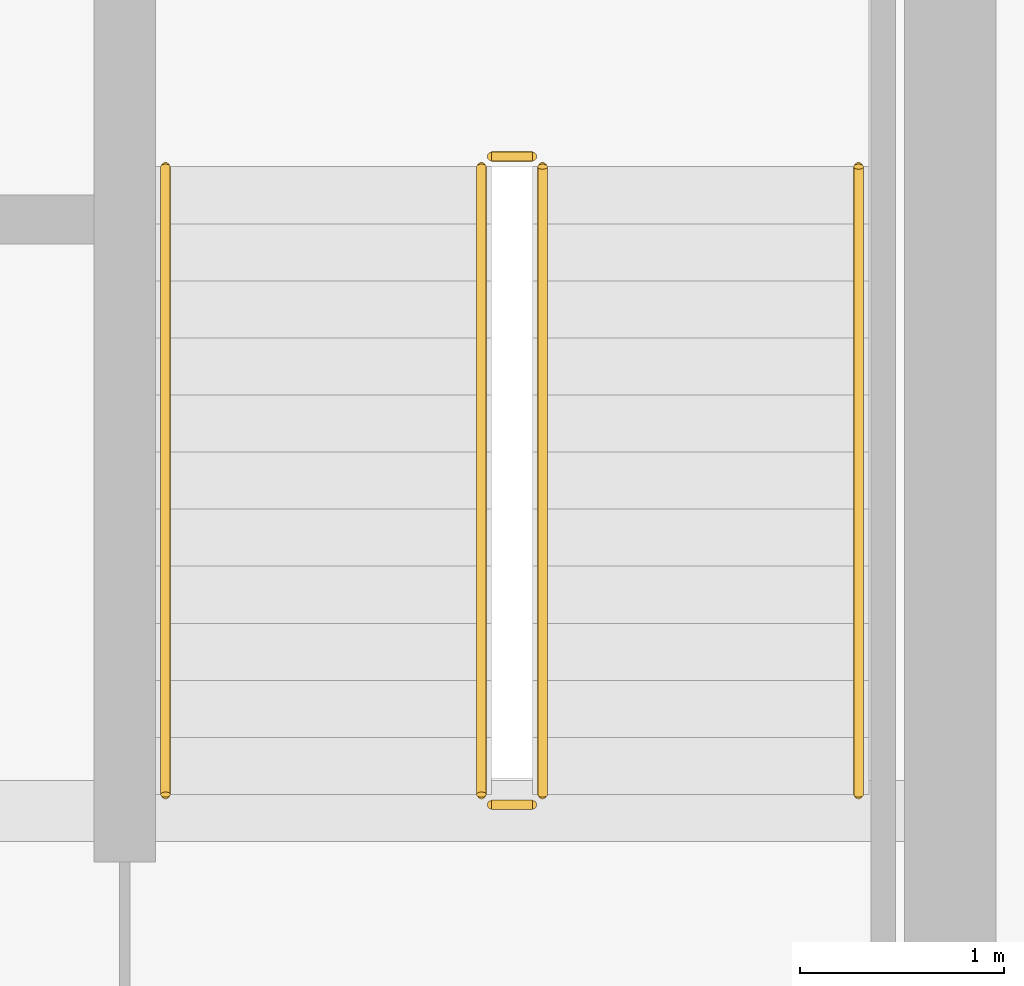
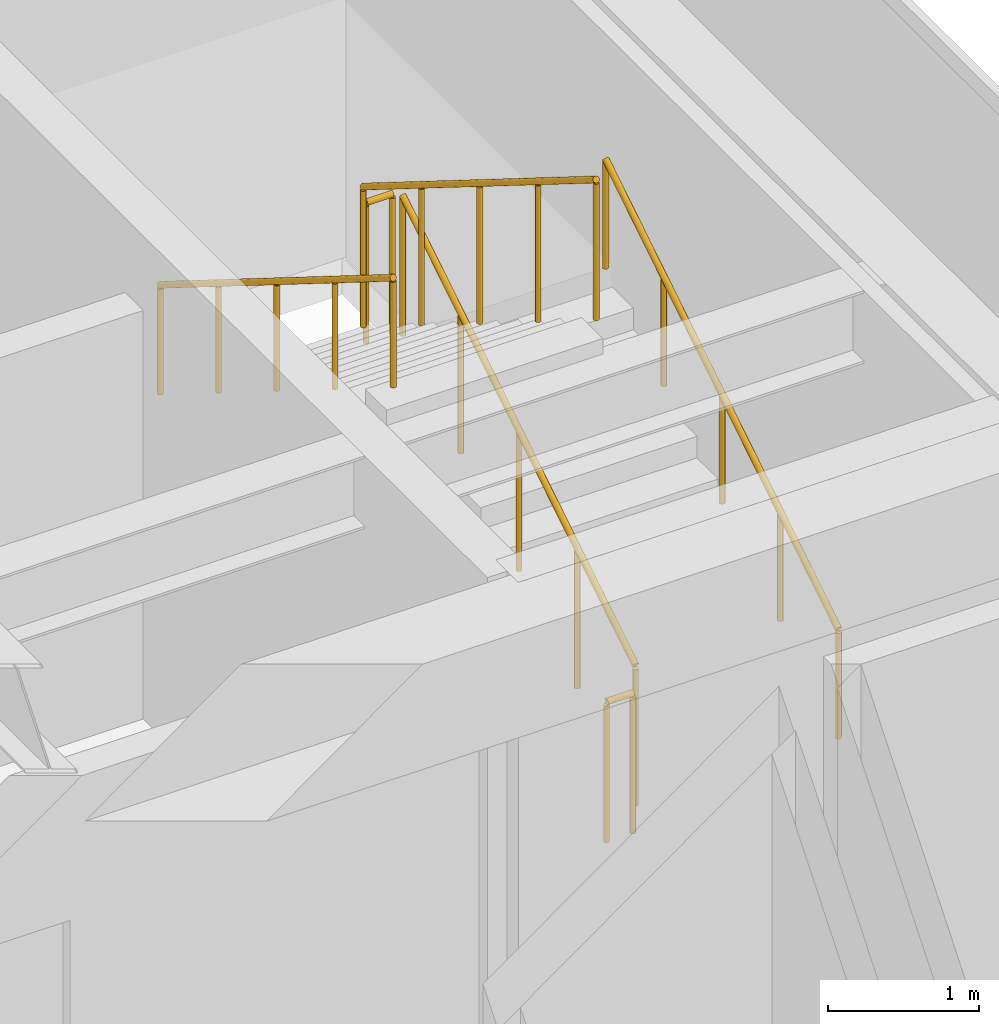
# One storey, part 31 of 32: 6 railings.
"""IFC4 building model written with IfcOpenShell, lengths in metres."""

from ifc_helpers import new_model, si_unit, direction, frame, origin, origin_2d, place, context, subcontext, project, spatial, circle, extrude, source, transform, mapped, material, type_object, type_shapes, element, save


model = new_model("IFC4")

# Units and contexts
model_context = context("Model", 3, precision=1e-05, world=origin(), true_north=direction((0.0, 1.0)))
body_context = subcontext(model_context, "Body", "Model", "MODEL_VIEW")
ifc_project = project(units=[si_unit("LENGTHUNIT", "METRE"), si_unit("AREAUNIT", "SQUARE_METRE"), si_unit("VOLUMEUNIT", "CUBIC_METRE"), si_unit("PLANEANGLEUNIT", "RADIAN"), si_unit("MASSUNIT", "GRAM", prefix="KILO")], contexts=[model_context])

# Site, building, storey
site_placement = place(None, origin())
site = spatial("IfcSite", under=ifc_project, at=site_placement, CompositionType="ELEMENT")
building_placement = place(site_placement, origin())
building = spatial("IfcBuilding", under=site, at=building_placement, Name="Haelvirn Gate Laboratories", CompositionType="ELEMENT")
storey_placement = place(building_placement, frame((0.0, 0.0, 301.800048828125)))
storey = spatial("IfcBuildingStorey", under=building, at=storey_placement, Name="L72", CompositionType="ELEMENT", Elevation=301.800048828125)

# Railings
ifc_material_1 = material(Name="Galvanised steel SM355 & stainless top rail", Category="steel")
railing_type_1 = type_object("IfcRailingType", Name="RL-GUARD-1150", PredefinedType="GUARDRAIL", material=ifc_material_1)
shared_shape_1 = source(origin(), body_context, "Body", "SweptSolid", [
    extrude(circle(Radius=0.02392578125, at=origin_2d()), frame((0.0, 0.0, 1.1259765625), z_axis=(0.0, -0.847998304005, 0.529998940003), x_axis=(1.0, 0.0, 0.0)), (0.0, 0.0, 1.0), 3.632080078125),
    extrude(circle(Radius=0.02099609375, at=origin_2d()), origin(), (0.0, 0.0, 1.0), 1.101806640625),
    extrude(circle(Radius=0.02099609375, at=origin_2d()), frame((0.0, -0.77001953125, 0.481201171875)), (0.0, 0.0, 1.0), 1.101806640625),
    extrude(circle(Radius=0.02099609375, at=origin_2d()), frame((0.0, -1.5400390625, 0.96240234375)), (0.0, 0.0, 1.0), 1.101806640625),
    extrude(circle(Radius=0.02099609375, at=origin_2d()), frame((0.0, -2.31005859375, 1.44384765625)), (0.0, 0.0, 1.0), 1.101806640625),
    extrude(circle(Radius=0.02099609375, at=origin_2d()), frame((0.0, -3.080078125, 1.925048828125)), (0.0, 0.0, 1.0), 1.101806640625),
])
railing_1_placement = place(storey_placement, frame((65.10009765625, 29.780029296875, 2.27490234375)))
element("IfcRailing", 1, at=railing_1_placement, inside=storey, type_object=railing_type_1, Name="L72 ST2 stair guard 3", PredefinedType="GUARDRAIL", context=body_context, shape_type="MappedRepresentation", body=[
    mapped(shared_shape_1, transform((0.0, 0.0, 0.0), scale=1.0)),
])
ifc_material_2 = material(Name="Brushed stainless steel 316L", Category="steel")
railing_type_2 = type_object("IfcRailingType", Name="RL-HAND-920", PredefinedType="HANDRAIL", material=ifc_material_2)
shared_shape_2 = source(origin(), body_context, "Body", "SweptSolid", [
    extrude(circle(Radius=0.02392578125, at=origin_2d()), frame((0.0, 0.0, 0.8759765625), z_axis=(0.0, -0.847998304005, 0.529998940003), x_axis=(1.0, 0.0, 0.0)), (0.0, 0.0, 1.0), 3.632080078125),
    extrude(circle(Radius=0.02099609375, at=origin_2d()), origin(), (0.0, 0.0, 1.0), 0.851806640625),
    extrude(circle(Radius=0.02099609375, at=origin_2d()), frame((0.0, -0.77001953125, 0.481201171875)), (0.0, 0.0, 1.0), 0.851806640625),
    extrude(circle(Radius=0.02099609375, at=origin_2d()), frame((0.0, -1.5400390625, 0.96240234375)), (0.0, 0.0, 1.0), 0.851806640625),
    extrude(circle(Radius=0.02099609375, at=origin_2d()), frame((0.0, -2.31005859375, 1.44384765625)), (0.0, 0.0, 1.0), 0.851806640625),
    extrude(circle(Radius=0.02099609375, at=origin_2d()), frame((0.0, -3.080078125, 1.925048828125)), (0.0, 0.0, 1.0), 0.851806640625),
])
railing_2_placement = place(storey_placement, frame((63.550048828125, 29.780029296875, 2.27490234375)))
element("IfcRailing", 2, at=railing_2_placement, inside=storey, type_object=railing_type_2, Name="L72 ST2 stair handrail 2", PredefinedType="HANDRAIL", context=body_context, shape_type="MappedRepresentation", body=[
    mapped(shared_shape_2, transform((0.0, 0.0, 0.0), scale=1.0)),
])
shared_shape_3 = source(origin(), body_context, "Body", "SweptSolid", [
    extrude(circle(Radius=0.02392578125, at=origin_2d()), frame((0.0, 0.0, 1.1259765625), z_axis=(0.0, 0.848028513186, 0.529950602248), x_axis=(-1.0, 0.0, 0.0)), (0.0, 0.0, 1.0), 3.632080078125),
    extrude(circle(Radius=0.02099609375, at=origin_2d()), origin(), (0.0, 0.0, 1.0), 1.101806640625),
    extrude(circle(Radius=0.02099609375, at=origin_2d()), frame((0.0, 0.77001953125, 0.481201171875)), (0.0, 0.0, 1.0), 1.101806640625),
    extrude(circle(Radius=0.02099609375, at=origin_2d()), frame((0.0, 1.5400390625, 0.96240234375)), (0.0, 0.0, 1.0), 1.101806640625),
    extrude(circle(Radius=0.02099609375, at=origin_2d()), frame((0.0, 2.31005859375, 1.443603515625)), (0.0, 0.0, 1.0), 1.101806640625),
    extrude(circle(Radius=0.02099609375, at=origin_2d()), frame((0.0, 3.080078125, 1.9248046875)), (0.0, 0.0, 1.0), 1.101806640625),
])
railing_3_placement = place(storey_placement, frame((65.39990234375, 26.699951171875, 0.175048828125)))
element("IfcRailing", 3, at=railing_3_placement, inside=storey, type_object=railing_type_1, Name="L72 ST2 stair guard 1", PredefinedType="GUARDRAIL", context=body_context, shape_type="MappedRepresentation", body=[
    mapped(shared_shape_3, transform((0.0, 0.0, 0.0), scale=1.0)),
])
shared_shape_4 = source(origin(), body_context, "Body", "SweptSolid", [
    extrude(circle(Radius=0.02392578125, at=origin_2d()), frame((0.0, 0.0, 0.8759765625), z_axis=(0.0, 0.848028513186, 0.529950602248), x_axis=(-1.0, 0.0, 0.0)), (0.0, 0.0, 1.0), 3.632080078125),
    extrude(circle(Radius=0.02099609375, at=origin_2d()), origin(), (0.0, 0.0, 1.0), 0.851806640625),
    extrude(circle(Radius=0.02099609375, at=origin_2d()), frame((0.0, 0.77001953125, 0.481201171875)), (0.0, 0.0, 1.0), 0.851806640625),
    extrude(circle(Radius=0.02099609375, at=origin_2d()), frame((0.0, 1.5400390625, 0.96240234375)), (0.0, 0.0, 1.0), 0.851806640625),
    extrude(circle(Radius=0.02099609375, at=origin_2d()), frame((0.0, 2.31005859375, 1.443603515625)), (0.0, 0.0, 1.0), 0.851806640625),
    extrude(circle(Radius=0.02099609375, at=origin_2d()), frame((0.0, 3.080078125, 1.9248046875)), (0.0, 0.0, 1.0), 0.851806640625),
])
type_shapes(railing_type_2, [shared_shape_2, shared_shape_4])
railing_4_placement = place(storey_placement, frame((66.949951171875, 26.699951171875, 0.175048828125)))
element("IfcRailing", 4, at=railing_4_placement, inside=storey, type_object=railing_type_2, Name="L72 ST2 stair handrail 1", PredefinedType="HANDRAIL", context=body_context, shape_type="MappedRepresentation", body=[
    mapped(shared_shape_4, transform((0.0, 0.0, 0.0), scale=1.0)),
])
shared_shape_5 = source(origin(), body_context, "Body", "SweptSolid", [
    extrude(circle(Radius=0.02392578125, at=origin_2d()), frame((0.0, 0.0, 1.1259765625), z_axis=(-1.0, 0.0, 0.0), x_axis=(0.0, -1.0, 0.0)), (0.0, 0.0, 1.0), 0.2001953125),
    extrude(circle(Radius=0.02099609375, at=origin_2d()), origin(), (0.0, 0.0, 1.0), 1.101806640625),
    extrude(circle(Radius=0.02099609375, at=origin_2d()), frame((-0.2001953125, 0.0, 0.0)), (0.0, 0.0, 1.0), 1.101806640625),
])
type_shapes(railing_type_1, [shared_shape_1, shared_shape_3, shared_shape_5])
for number, where, name in (
    (5, (65.35009765625, 29.830078125, 2.099853515625), "L72 ST2 stair guard 2"),
    (6, (65.35009765625, 26.64990234375, 0.0), "L72 ST2 stair guard 4"),
):
    element("IfcRailing", number, at=place(storey_placement, frame(where)), inside=storey, type_object=railing_type_1, Name=name, PredefinedType="GUARDRAIL", context=body_context, shape_type="MappedRepresentation", body=[
        mapped(shared_shape_5, transform((0.0, 0.0, 0.0), scale=1.0)),
    ])

save(model, "model.ifc")
